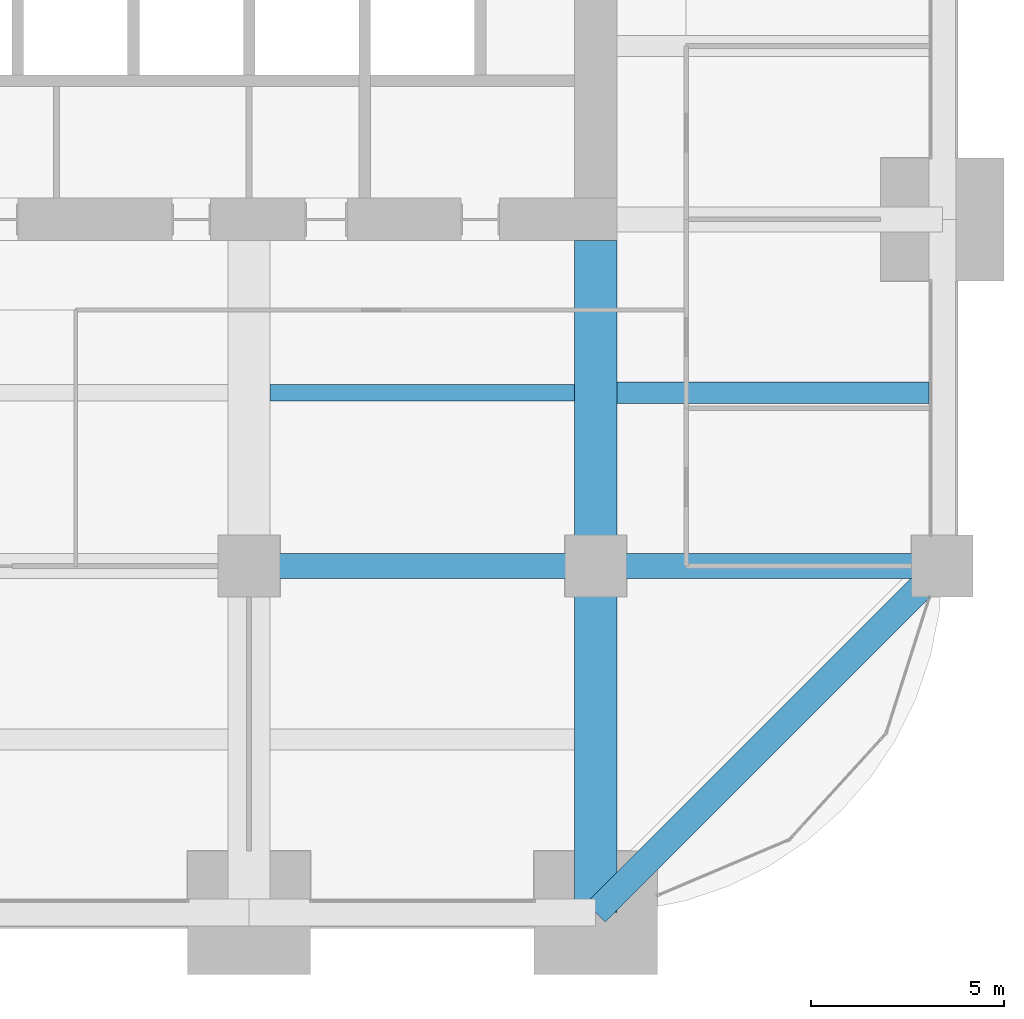
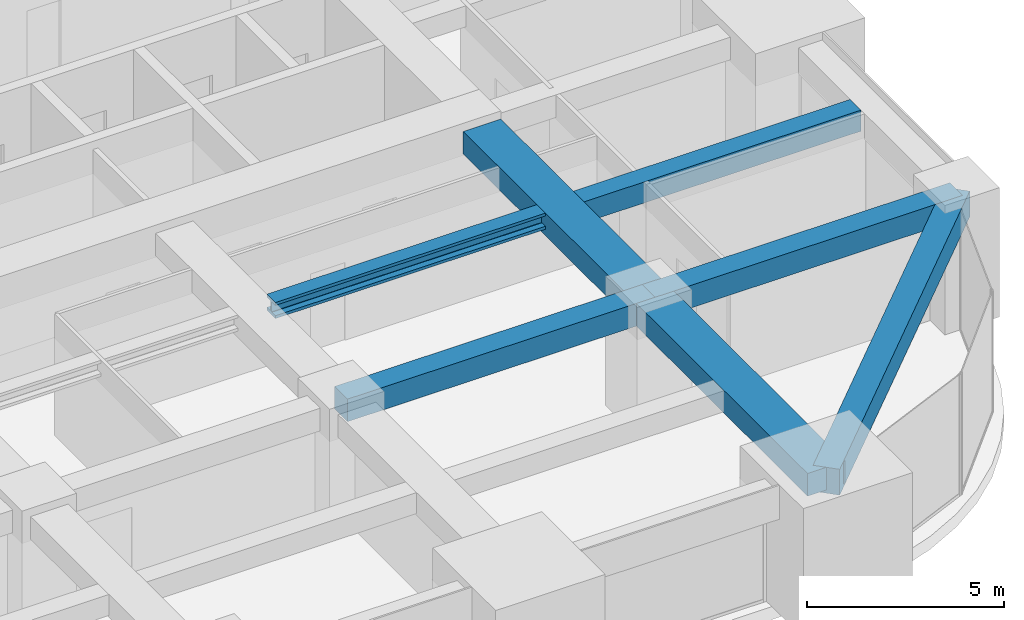
# One storey, part 17 of 40: 7 beams.
"""IFC4 building model written with IfcOpenShell, lengths in metres."""

from ifc_helpers import new_model, si_unit, direction, frame, origin, origin_2d, place, context, subcontext, project, spatial, rectangle, i_section, extrude, material, material_profile, profile_set, type_object, element, save


model = new_model("IFC4")

# Units and contexts
model_context = context("Model", 3, precision=1e-05, world=origin(), true_north=direction((0.0, 1.0)))
body_context = subcontext(model_context, "Body", "Model", "MODEL_VIEW")
ifc_project = project(units=[si_unit("LENGTHUNIT", "METRE"), si_unit("AREAUNIT", "SQUARE_METRE"), si_unit("VOLUMEUNIT", "CUBIC_METRE"), si_unit("PLANEANGLEUNIT", "RADIAN"), si_unit("MASSUNIT", "GRAM", prefix="KILO")], contexts=[model_context])

# Site, building, storey
site_placement = place(None, origin())
site = spatial("IfcSite", under=ifc_project, at=site_placement, CompositionType="ELEMENT")
building_placement = place(site_placement, origin())
building = spatial("IfcBuilding", under=site, at=building_placement, Name="Zorevar Civic Tower", CompositionType="ELEMENT")
storey_placement = place(building_placement, frame((0.0, 0.0, 239.39990234375)))
storey = spatial("IfcBuildingStorey", under=building, at=storey_placement, Name="L58", CompositionType="ELEMENT", Elevation=239.39990234375)

# Beams
ifc_material_1 = material(Name="Concrete C50/60", Category="concrete")
ifc_material_profile_1 = material_profile(ifc_material_1, rectangle(XDim=1.10009765625, YDim=0.699951171875, at=origin_2d()), Name="RC 1100x700")
ifc_profile_set_1 = profile_set([ifc_material_profile_1], Name="Concrete C50/60")
beam_type_1 = type_object("IfcBeamType", Name="Beam RC 1100x700", PredefinedType="BEAM", material=ifc_profile_set_1)
beam_1_placement = place(storey_placement, frame((45.0, 0.0, 3.400146484375), z_axis=(0.0, 1.0, 0.0), x_axis=(-1.0, 0.0, 0.0)))
element("IfcBeam", 1, at=beam_1_placement, inside=storey, type_object=beam_type_1, Name="Girder L59", PredefinedType="BEAM", context=body_context, shape_type="SweptSolid", body=[
    extrude(rectangle(XDim=1.10009765625, YDim=0.699951171875, at=origin_2d()), origin(), (0.0, 0.0, 1.0), 9.0),
])
beam_2_placement = place(storey_placement, frame((45.0, 9.0, 3.400146484375), z_axis=(0.0, 1.0, 0.0), x_axis=(-1.0, 0.0, 0.0)))
element("IfcBeam", 2, at=beam_2_placement, inside=storey, type_object=beam_type_1, Name="Girder L59", PredefinedType="BEAM", context=body_context, shape_type="SweptSolid", body=[
    extrude(rectangle(XDim=1.10009765625, YDim=0.699951171875, at=origin_2d()), origin(), (0.0, 0.0, 1.0), 8.449951171875),
])
ifc_material_2 = material(Name="Concrete C50/60", Category="concrete")
ifc_material_profile_2 = material_profile(ifc_material_2, rectangle(XDim=0.550048828125, YDim=0.64990234375, at=origin_2d()), Name="RC 550x650")
ifc_profile_set_2 = profile_set([ifc_material_profile_2], Name="Concrete C50/60")
beam_type_2 = type_object("IfcBeamType", Name="Beam RC 550x650", PredefinedType="BEAM", material=ifc_profile_set_2)
beam_3_placement = place(storey_placement, frame((45.550048828125, 13.5, 3.425048828125), z_axis=(1.0, 0.0, 0.0), x_axis=(0.0, 1.0, 0.0)))
element("IfcBeam", 3, at=beam_3_placement, inside=storey, type_object=beam_type_2, Name="Secondary beam L59", PredefinedType="BEAM", context=body_context, shape_type="SweptSolid", body=[
    extrude(rectangle(XDim=0.550048828125, YDim=0.64990234375, at=origin_2d()), origin(), (0.0, 0.0, 1.0), 8.099853515625),
])
ifc_material_3 = material(Name="Concrete C50/60", Category="concrete")
ifc_material_profile_3 = material_profile(ifc_material_3, rectangle(XDim=0.64990234375, YDim=0.699951171875, at=origin_2d()), Name="RC 650x700")
ifc_profile_set_3 = profile_set([ifc_material_profile_3], Name="Concrete C50/60")
beam_type_3 = type_object("IfcBeamType", Name="Beam RC 650x700", PredefinedType="BEAM", material=ifc_profile_set_3)
for number, where, z_axis, x_axis, name in (
    (4, (36.0, 9.0, 3.400146484375), (1.0, 0.0, 0.0), (0.0, 1.0, 0.0), "Girder L59"),
    (5, (45.0, 9.0, 3.400146484375), (1.0, 0.0, 0.0), (0.0, 1.0, 0.0), "Girder L59"),
):
    element("IfcBeam", number, at=place(storey_placement, frame(where, z_axis=z_axis, x_axis=x_axis)), inside=storey, type_object=beam_type_3, Name=name, PredefinedType="BEAM", context=body_context, shape_type="SweptSolid", body=[
        extrude(rectangle(XDim=0.64990234375, YDim=0.699951171875, at=origin_2d()), origin(), (0.0, 0.0, 1.0), 9.0),
    ])
ifc_material_4 = material(Name="Steel S460M (HISTAR 460)", Category="steel")
ifc_material_profile_4 = material_profile(ifc_material_4, i_section(OverallWidth=0.431884765625, OverallDepth=0.498046875, WebThickness=0.0556640625, FlangeThickness=0.0888671875, FilletRadius=0.014892578125, at=origin_2d()), Name="HD 400x744")
ifc_profile_set_4 = profile_set([ifc_material_profile_4], Name="Steel S460M (HISTAR 460)")
beam_type_4 = type_object("IfcBeamType", Name="Core bay beam HD 400x744", PredefinedType="BEAM", material=ifc_profile_set_4)
beam_4_placement = place(storey_placement, frame((36.550048828125, 13.5, 3.5009765625), z_axis=(1.0, 0.0, 0.0), x_axis=(0.0, 1.0, 0.0)))
element("IfcBeam", 6, at=beam_4_placement, inside=storey, type_object=beam_type_4, Name="Secondary beam L59", PredefinedType="BEAM", context=body_context, shape_type="SweptSolid", body=[
    extrude(i_section(OverallWidth=0.431884765625, OverallDepth=0.498046875, WebThickness=0.0556640625, FlangeThickness=0.0888671875, FilletRadius=0.014892578125, at=origin_2d()), origin(), (0.0, 0.0, 1.0), 7.89990234375),
])
ifc_material_5 = material(Name="Concrete C50/60", Category="concrete")
ifc_material_profile_5 = material_profile(ifc_material_5, rectangle(XDim=0.699951171875, YDim=0.800048828125, at=origin_2d()), Name="RC 700x800")
ifc_profile_set_5 = profile_set([ifc_material_profile_5], Name="Concrete C50/60")
beam_type_5 = type_object("IfcBeamType", Name="Edge beam RC 700x800", PredefinedType="SPANDREL", material=ifc_profile_set_5)
beam_5_placement = place(storey_placement, frame((45.0, 0.0, 3.35009765625), z_axis=(0.707106781187, 0.707106781187, 0.0), x_axis=(-0.707106781187, 0.707106781187, 0.0)))
element("IfcBeam", 7, at=beam_5_placement, inside=storey, type_object=beam_type_5, Name="Corner edge beam L59", PredefinedType="SPANDREL", context=body_context, shape_type="SweptSolid", body=[
    extrude(rectangle(XDim=0.699951171875, YDim=0.800048828125, at=origin_2d()), origin(), (0.0, 0.0, 1.0), 12.72802734375),
])

save(model, "model.ifc")
